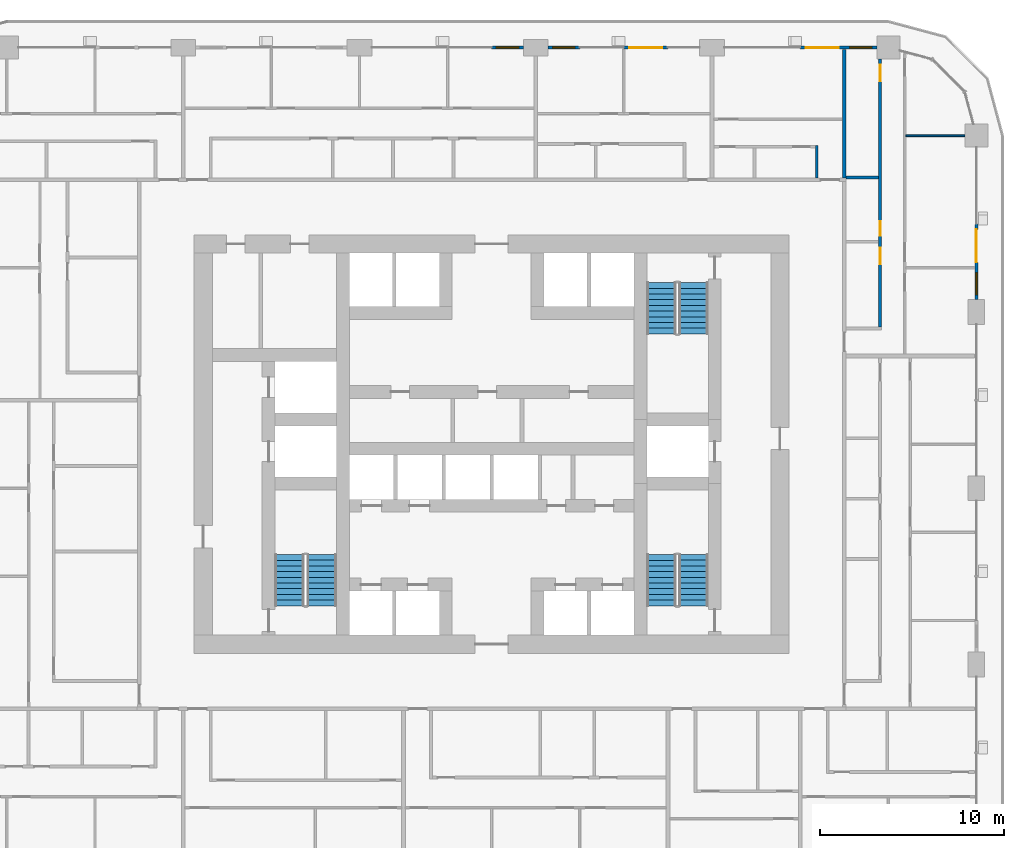
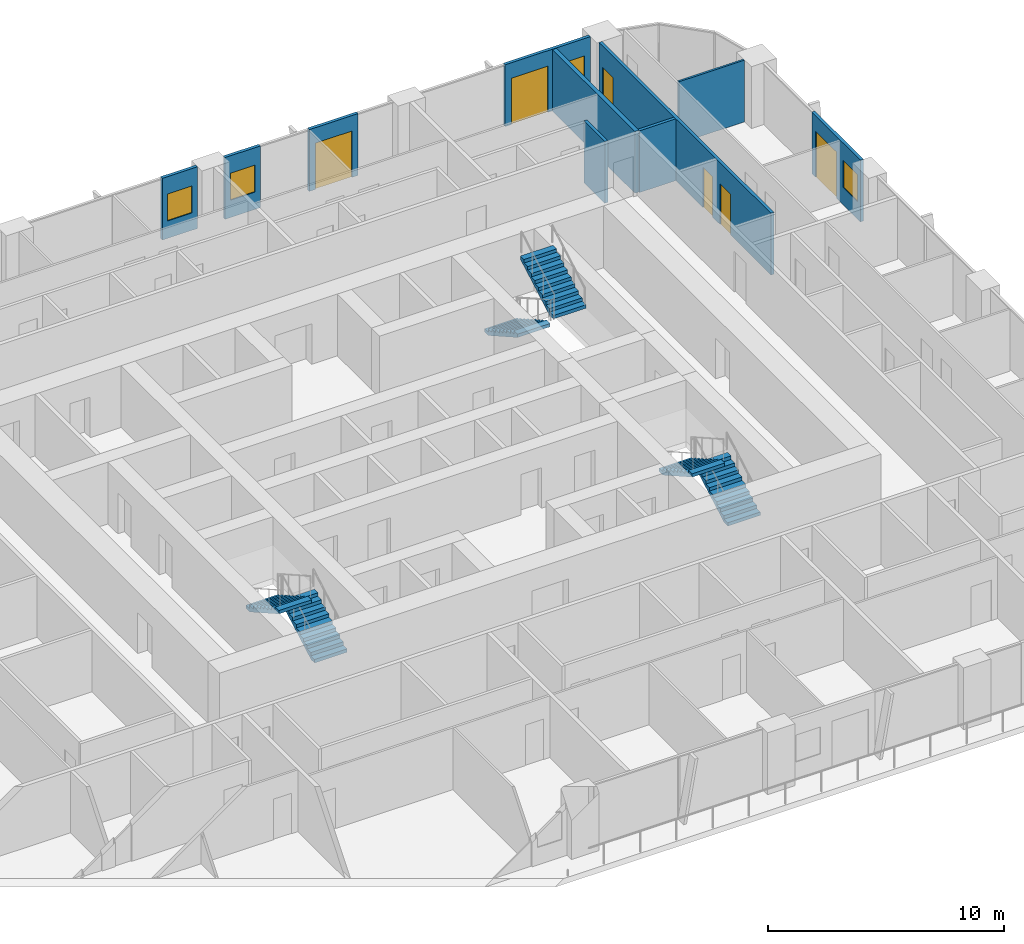
# One storey, part 15 of 21: 10 walls, 6 doors, 6 stair flights, 4 windows, 10 openings, 3 elements without a shape of their own.
"""IFC4 building model written with IfcOpenShell, lengths in metres."""

from ifc_helpers import new_model, si_unit, direction, frame, frame_2d, origin, place, context, subcontext, project, spatial, polyline, rectangle, outline, extrude, material, layer, layer_set, type_object, element, fill, aggregate, save


model = new_model("IFC4")

# Units and contexts
model_context = context("Model", 3, precision=1e-05, world=origin(), true_north=direction((0.0, 1.0)))
body_context = subcontext(model_context, "Body", "Model", "MODEL_VIEW")
ifc_project = project(units=[si_unit("LENGTHUNIT", "METRE"), si_unit("AREAUNIT", "SQUARE_METRE"), si_unit("VOLUMEUNIT", "CUBIC_METRE"), si_unit("PLANEANGLEUNIT", "RADIAN"), si_unit("MASSUNIT", "GRAM", prefix="KILO")], contexts=[model_context])

# Site, building, storey
site_placement = place(None, origin())
site = spatial("IfcSite", under=ifc_project, at=site_placement, CompositionType="ELEMENT")
building_placement = place(site_placement, origin())
building = spatial("IfcBuilding", under=site, at=building_placement, Name="Madar Terraces", CompositionType="ELEMENT")
storey_placement = place(building_placement, frame((0.0, 0.0, 32.89990234375)))
storey = spatial("IfcBuildingStorey", under=building, at=storey_placement, Name="L07", CompositionType="ELEMENT", Elevation=32.89990234375)

# Wall, openings, door, window
ifc_material_1 = material(Name="Aluminium composite panel, black, over insulated backing", Category="aluminium")
ifc_layer_1 = layer(ifc_material_1, 0.14990234375)
ifc_layer_set_1 = layer_set([ifc_layer_1], Name="Facade bay panel 150")
wall_type_1 = type_object("IfcWallType", Name="Facade bay panel 150", PredefinedType="SOLIDWALL", material=ifc_layer_set_1)
wall_1_placement = place(storey_placement, frame((57.60009765625, 34.27490234375, 0.0), z_axis=(0.0, 0.0, 1.0), x_axis=(0.0, 1.0, 0.0)))
wall_1 = element("IfcWall", 1, at=wall_1_placement, inside=storey, type_object=wall_type_1, Name="Facade bay panel", PredefinedType="SOLIDWALL", context=body_context, shape_type="SweptSolid", body=[
    extrude(rectangle(XDim=4.125, YDim=0.14990234375, at=frame_2d((2.0625, 0.0))), origin(), (0.0, 0.0, 1.0), 3.2001953125),
])
opening_1_placement = place(wall_1_placement, frame((0.262451171875, 0.0, 0.89990234375)))
opening_1 = element("IfcOpeningElement", 2, at=opening_1_placement, cuts=wall_1, Name="Opening W1", PredefinedType="OPENING", context=body_context, shape_type="SweptSolid", body=[
    extrude(rectangle(XDim=1.199951171875, YDim=1.39990234375, at=frame_2d((0.60009765625, 0.699951171875))), frame((0.0, 0.0849609375, 0.0), z_axis=(0.0, -1.0, 0.0), x_axis=(1.0, 0.0, 0.0)), (0.0, 0.0, 1.0), 0.169921875),
])
opening_2_placement = place(wall_1_placement, frame((2.02490234375, 0.0, 0.0)))
opening_2 = element("IfcOpeningElement", 3, at=opening_2_placement, cuts=wall_1, Name="Opening ED1", PredefinedType="OPENING", context=body_context, shape_type="SweptSolid", body=[
    extrude(rectangle(XDim=1.800048828125, YDim=2.39990234375, at=frame_2d((0.89990234375, 1.199951171875))), frame((0.0, 0.0849609375, 0.0), z_axis=(0.0, -1.0, 0.0), x_axis=(1.0, 0.0, 0.0)), (0.0, 0.0, 1.0), 0.169921875),
])
ifc_material_2 = material(Name="Glass, clear, with black aluminium frame", Category="aluminium")
door_type_1 = type_object("IfcDoorType", Name="Balcony and terrace sliding door 1800 x 2400", OperationType="SLIDING_TO_LEFT", PredefinedType="DOOR", material=ifc_material_2)
door_1_placement = place(opening_2_placement, origin())
door_1 = element("IfcDoor", 4, at=door_1_placement, inside=storey, type_object=door_type_1, Name="Balcony door", OperationType="SLIDING_TO_RIGHT", OverallHeight=2.39990234375, OverallWidth=1.800048828125, PredefinedType="DOOR", context=body_context, shape_type="SweptSolid", body=[
    extrude(rectangle(XDim=1.800048828125, YDim=2.39990234375, at=frame_2d((0.89990234375, 1.199951171875))), frame((0.0, 0.02490234375, 0.0), z_axis=(0.0, -1.0, 0.0), x_axis=(1.0, 0.0, 0.0)), (0.0, 0.0, 1.0), 0.050048828125),
])
fill(opening_2, door_1)
ifc_material_3 = material(Name="Glass, clear, with black aluminium frame", Category="aluminium")
window_type = type_object("IfcWindowType", Name="Vent window 1200 x 1400", PartitioningType="SINGLE_PANEL", PredefinedType="WINDOW", material=ifc_material_3)
window_1_placement = place(opening_1_placement, origin())
window_1 = element("IfcWindow", 5, at=window_1_placement, inside=storey, type_object=window_type, Name="Operable vent window", OverallHeight=1.39990234375, OverallWidth=1.199951171875, PartitioningType="SINGLE_PANEL", PredefinedType="WINDOW", context=body_context, shape_type="SweptSolid", body=[
    extrude(rectangle(XDim=1.199951171875, YDim=1.39990234375, at=frame_2d((0.60009765625, 0.699951171875))), frame((0.0, 0.030029296875, 0.0), z_axis=(0.0, -1.0, 0.0), x_axis=(1.0, 0.0, 0.0)), (0.0, 0.0, 1.0), 0.06005859375),
])
fill(opening_1, window_1)

wall_2_placement = place(storey_placement, frame((52.175048828125, 48.0, 0.0), z_axis=(0.0, 0.0, 1.0), x_axis=(-1.0, 0.0, 0.0)))
wall_2 = element("IfcWall", 6, at=wall_2_placement, inside=storey, type_object=wall_type_1, Name="Facade bay panel", PredefinedType="SOLIDWALL", context=body_context, shape_type="SweptSolid", body=[
    extrude(rectangle(XDim=4.175048828125, YDim=0.14990234375, at=frame_2d((2.08740234375, 0.0))), origin(), (0.0, 0.0, 1.0), 3.2001953125),
])
opening_3_placement = place(wall_2_placement, frame((0.28759765625, 0.0, 0.89990234375)))
opening_3 = element("IfcOpeningElement", 7, at=opening_3_placement, cuts=wall_2, Name="Opening W1", PredefinedType="OPENING", context=body_context, shape_type="SweptSolid", body=[
    extrude(rectangle(XDim=1.199951171875, YDim=1.39990234375, at=frame_2d((0.60009765625, 0.699951171875))), frame((0.0, 0.0849609375, 0.0), z_axis=(0.0, -1.0, 0.0), x_axis=(1.0, 0.0, 0.0)), (0.0, 0.0, 1.0), 0.169921875),
])
opening_4_placement = place(wall_2_placement, frame((2.074951171875, 0.0, 0.0)))
opening_4 = element("IfcOpeningElement", 8, at=opening_4_placement, cuts=wall_2, Name="Opening ED1", PredefinedType="OPENING", context=body_context, shape_type="SweptSolid", body=[
    extrude(rectangle(XDim=1.800048828125, YDim=2.39990234375, at=frame_2d((0.89990234375, 1.199951171875))), frame((0.0, 0.0849609375, 0.0), z_axis=(0.0, -1.0, 0.0), x_axis=(1.0, 0.0, 0.0)), (0.0, 0.0, 1.0), 0.169921875),
])
door_2_placement = place(opening_4_placement, origin())
door_2 = element("IfcDoor", 9, at=door_2_placement, inside=storey, type_object=door_type_1, Name="Balcony door", OperationType="SLIDING_TO_LEFT", OverallHeight=2.39990234375, OverallWidth=1.800048828125, PredefinedType="DOOR", context=body_context, shape_type="SweptSolid", body=[
    extrude(rectangle(XDim=1.800048828125, YDim=2.39990234375, at=frame_2d((0.89990234375, 1.199951171875))), frame((0.0, 0.02490234375, 0.0), z_axis=(0.0, -1.0, 0.0), x_axis=(1.0, 0.0, 0.0)), (0.0, 0.0, 1.0), 0.050048828125),
])
fill(opening_4, door_2)
window_2_placement = place(opening_3_placement, origin())
window_2 = element("IfcWindow", 10, at=window_2_placement, inside=storey, type_object=window_type, Name="Operable vent window", OverallHeight=1.39990234375, OverallWidth=1.199951171875, PartitioningType="SINGLE_PANEL", PredefinedType="WINDOW", context=body_context, shape_type="SweptSolid", body=[
    extrude(rectangle(XDim=1.199951171875, YDim=1.39990234375, at=frame_2d((0.60009765625, 0.699951171875))), frame((0.0, 0.030029296875, 0.0), z_axis=(0.0, -1.0, 0.0), x_axis=(1.0, 0.0, 0.0)), (0.0, 0.0, 1.0), 0.06005859375),
])
fill(opening_3, window_2)

# Wall, opening, door
wall_3_placement = place(storey_placement, frame((40.800048828125, 48.0, 0.0), z_axis=(0.0, 0.0, 1.0), x_axis=(-1.0, 0.0, 0.0)))
wall_3 = element("IfcWall", 11, at=wall_3_placement, inside=storey, type_object=wall_type_1, Name="Facade bay panel", PredefinedType="SOLIDWALL", context=body_context, shape_type="SweptSolid", body=[
    extrude(rectangle(XDim=2.400146484375, YDim=0.14990234375, at=frame_2d((1.2001953125, 0.0))), origin(), (0.0, 0.0, 1.0), 3.2001953125),
])
opening_5_placement = place(wall_3_placement, frame((0.300048828125, 0.0, 0.0)))
opening_5 = element("IfcOpeningElement", 12, at=opening_5_placement, cuts=wall_3, Name="Opening ED1", PredefinedType="OPENING", context=body_context, shape_type="SweptSolid", body=[
    extrude(rectangle(XDim=1.800048828125, YDim=2.39990234375, at=frame_2d((0.89990234375, 1.199951171875))), frame((0.0, 0.0849609375, 0.0), z_axis=(0.0, -1.0, 0.0), x_axis=(1.0, 0.0, 0.0)), (0.0, 0.0, 1.0), 0.169921875),
])
door_3_placement = place(opening_5_placement, origin())
door_3 = element("IfcDoor", 13, at=door_3_placement, inside=storey, type_object=door_type_1, Name="Balcony door", OperationType="SLIDING_TO_RIGHT", OverallHeight=2.39990234375, OverallWidth=1.800048828125, PredefinedType="DOOR", context=body_context, shape_type="SweptSolid", body=[
    extrude(rectangle(XDim=1.800048828125, YDim=2.39990234375, at=frame_2d((0.89990234375, 1.199951171875))), frame((0.0, 0.02490234375, 0.0), z_axis=(0.0, -1.0, 0.0), x_axis=(1.0, 0.0, 0.0)), (0.0, 0.0, 1.0), 0.050048828125),
])
fill(opening_5, door_3)

# Wall, opening, window
wall_4_placement = place(storey_placement, frame((36.0, 48.0, 0.0), z_axis=(0.0, 0.0, 1.0), x_axis=(-1.0, 0.0, 0.0)))
wall_4 = element("IfcWall", 14, at=wall_4_placement, inside=storey, type_object=wall_type_1, Name="Facade bay panel", PredefinedType="SOLIDWALL", context=body_context, shape_type="SweptSolid", body=[
    extrude(rectangle(XDim=1.72509765625, YDim=0.14990234375, at=frame_2d((0.862548828125, 0.0))), origin(), (0.0, 0.0, 1.0), 3.2001953125),
])
opening_6_placement = place(wall_4_placement, frame((0.262451171875, 0.0, 0.89990234375)))
opening_6 = element("IfcOpeningElement", 15, at=opening_6_placement, cuts=wall_4, Name="Opening W1", PredefinedType="OPENING", context=body_context, shape_type="SweptSolid", body=[
    extrude(rectangle(XDim=1.199951171875, YDim=1.39990234375, at=frame_2d((0.60009765625, 0.699951171875))), frame((0.0, 0.0849609375, 0.0), z_axis=(0.0, -1.0, 0.0), x_axis=(1.0, 0.0, 0.0)), (0.0, 0.0, 1.0), 0.169921875),
])
window_3_placement = place(opening_6_placement, origin())
window_3 = element("IfcWindow", 16, at=window_3_placement, inside=storey, type_object=window_type, Name="Operable vent window", OverallHeight=1.39990234375, OverallWidth=1.199951171875, PartitioningType="SINGLE_PANEL", PredefinedType="WINDOW", context=body_context, shape_type="SweptSolid", body=[
    extrude(rectangle(XDim=1.199951171875, YDim=1.39990234375, at=frame_2d((0.60009765625, 0.699951171875))), frame((0.0, 0.030029296875, 0.0), z_axis=(0.0, -1.0, 0.0), x_axis=(1.0, 0.0, 0.0)), (0.0, 0.0, 1.0), 0.06005859375),
])
fill(opening_6, window_3)

wall_5_placement = place(storey_placement, frame((32.925048828125, 48.0, 0.0), z_axis=(0.0, 0.0, 1.0), x_axis=(-1.0, 0.0, 0.0)))
wall_5 = element("IfcWall", 17, at=wall_5_placement, inside=storey, type_object=wall_type_1, Name="Facade bay panel", PredefinedType="SOLIDWALL", context=body_context, shape_type="SweptSolid", body=[
    extrude(rectangle(XDim=1.72509765625, YDim=0.14990234375, at=frame_2d((0.862548828125, 0.0))), origin(), (0.0, 0.0, 1.0), 3.2001953125),
])
opening_7_placement = place(wall_5_placement, frame((0.262451171875, 0.0, 0.89990234375)))
opening_7 = element("IfcOpeningElement", 18, at=opening_7_placement, cuts=wall_5, Name="Opening W1", PredefinedType="OPENING", context=body_context, shape_type="SweptSolid", body=[
    extrude(rectangle(XDim=1.199951171875, YDim=1.39990234375, at=frame_2d((0.60009765625, 0.699951171875))), frame((0.0, 0.0849609375, 0.0), z_axis=(0.0, -1.0, 0.0), x_axis=(1.0, 0.0, 0.0)), (0.0, 0.0, 1.0), 0.169921875),
])
window_4_placement = place(opening_7_placement, origin())
window_4 = element("IfcWindow", 19, at=window_4_placement, inside=storey, type_object=window_type, Name="Operable vent window", OverallHeight=1.39990234375, OverallWidth=1.199951171875, PartitioningType="SINGLE_PANEL", PredefinedType="WINDOW", context=body_context, shape_type="SweptSolid", body=[
    extrude(rectangle(XDim=1.199951171875, YDim=1.39990234375, at=frame_2d((0.60009765625, 0.699951171875))), frame((0.0, 0.030029296875, 0.0), z_axis=(0.0, -1.0, 0.0), x_axis=(1.0, 0.0, 0.0)), (0.0, 0.0, 1.0), 0.06005859375),
])
fill(opening_7, window_4)

# Walls
ifc_material_4 = material(Name="Gypsum board on steel studs", Category="steel")
ifc_layer_2 = layer(ifc_material_4, 0.10009765625)
ifc_layer_set_2 = layer_set([ifc_layer_2], Name="Flat partition 100")
wall_type_2 = type_object("IfcWallType", Name="Flat partition 100", PredefinedType="PARTITIONING", material=ifc_layer_set_2)
wall_6_placement = place(storey_placement, frame((53.75, 43.199951171875, 0.0), z_axis=(0.0, 0.0, 1.0), x_axis=(1.0, 0.0, 0.0)))
element("IfcWall", 20, at=wall_6_placement, inside=storey, type_object=wall_type_2, Name="Flat partition 100", PredefinedType="PARTITIONING", context=body_context, shape_type="SweptSolid", body=[
    extrude(rectangle(XDim=3.22509765625, YDim=0.10009765625, at=frame_2d((1.612548828125, 0.0))), origin(), (0.0, 0.0, 1.0), 3.2001953125),
])
ifc_material_5 = material(Name="Lightweight blockwork", Category="masonry")
ifc_layer_3 = layer(ifc_material_5, 0.199951171875)
ifc_layer_set_3 = layer_set([ifc_layer_3], Name="Flat party and entrance wall 200")
wall_type_3 = type_object("IfcWallType", Name="Flat party and entrance wall 200", PredefinedType="PARTITIONING", material=ifc_layer_set_3)
wall_7_placement = place(storey_placement, frame((50.39990234375, 40.89990234375, 0.0), z_axis=(0.0, 0.0, 1.0), x_axis=(0.0, 1.0, 0.0)))
element("IfcWall", 21, at=wall_7_placement, inside=storey, type_object=wall_type_3, Name="Flat party and entrance wall 200", PredefinedType="PARTITIONING", context=body_context, shape_type="SweptSolid", body=[
    extrude(rectangle(XDim=7.0, YDim=0.199951171875, at=frame_2d((3.5, 0.0))), origin(), (0.0, 0.0, 1.0), 3.2001953125),
])
ifc_material_6 = material(Name="Lightweight blockwork", Category="masonry")
ifc_layer_4 = layer(ifc_material_6, 0.14990234375)
ifc_layer_set_4 = layer_set([ifc_layer_4], Name="Flat wet-room partition 150")
wall_type_4 = type_object("IfcWallType", Name="Flat wet-room partition 150", PredefinedType="PARTITIONING", material=ifc_layer_set_4)
wall_8_placement = place(storey_placement, frame((50.5, 40.919189453125, 0.0), z_axis=(0.0, 0.0, 1.0), x_axis=(1.0, 0.0, 0.0)))
element("IfcWall", 22, at=wall_8_placement, inside=storey, type_object=wall_type_4, Name="Flat wet-room partition 150", PredefinedType="PARTITIONING", context=body_context, shape_type="SweptSolid", body=[
    extrude(rectangle(XDim=1.77490234375, YDim=0.14990234375, at=frame_2d((0.887451171875, 0.0))), origin(), (0.0, 0.0, 1.0), 3.2001953125),
])

# Wall, openings, doors
wall_9_placement = place(storey_placement, frame((52.35009765625, 32.77490234375, 0.0), z_axis=(0.0, 0.0, 1.0), x_axis=(0.0, 1.0, 0.0)))
wall_9 = element("IfcWall", 23, at=wall_9_placement, inside=storey, type_object=wall_type_4, Name="Flat wet-room partition 150", PredefinedType="PARTITIONING", context=body_context, shape_type="SweptSolid", body=[
    extrude(rectangle(XDim=14.60009765625, YDim=0.14990234375, at=frame_2d((7.300048828125, 0.0))), origin(), (0.0, 0.0, 1.0), 3.2001953125),
])
opening_8_placement = place(wall_9_placement, frame((3.4287109375, 0.0, 0.0)))
opening_8 = element("IfcOpeningElement", 24, at=opening_8_placement, cuts=wall_9, Name="Opening D5", PredefinedType="OPENING", context=body_context, shape_type="SweptSolid", body=[
    extrude(rectangle(XDim=0.89990234375, YDim=2.10009765625, at=frame_2d((0.449951171875, 1.050048828125))), frame((0.0, 0.0849609375, 0.0), z_axis=(0.0, -1.0, 0.0), x_axis=(1.0, 0.0, 0.0)), (0.0, 0.0, 1.0), 0.169921875),
])
opening_9_placement = place(wall_9_placement, frame((4.978759765625, 0.0, 0.0)))
opening_9 = element("IfcOpeningElement", 25, at=opening_9_placement, cuts=wall_9, Name="Opening D4", PredefinedType="OPENING", context=body_context, shape_type="SweptSolid", body=[
    extrude(rectangle(XDim=0.800048828125, YDim=2.10009765625, at=frame_2d((0.39990234375, 1.050048828125))), frame((0.0, 0.0849609375, 0.0), z_axis=(0.0, -1.0, 0.0), x_axis=(1.0, 0.0, 0.0)), (0.0, 0.0, 1.0), 0.169921875),
])
opening_10_placement = place(wall_9_placement, frame((13.39990234375, 0.0, 0.0)))
opening_10 = element("IfcOpeningElement", 26, at=opening_10_placement, cuts=wall_9, Name="Opening D2", PredefinedType="OPENING", context=body_context, shape_type="SweptSolid", body=[
    extrude(rectangle(XDim=0.89990234375, YDim=2.10009765625, at=frame_2d((0.449951171875, 1.050048828125))), frame((0.0, 0.0849609375, 0.0), z_axis=(0.0, -1.0, 0.0), x_axis=(1.0, 0.0, 0.0)), (0.0, 0.0, 1.0), 0.169921875),
])
ifc_material_7 = material(Name="Timber door leaf", Category="wood")
door_type_2 = type_object("IfcDoorType", Name="Flat accessible bathroom door 900", OperationType="NOTDEFINED", PredefinedType="DOOR", material=ifc_material_7)
door_4_placement = place(opening_8_placement, origin())
door_4 = element("IfcDoor", 27, at=door_4_placement, inside=storey, type_object=door_type_2, Name="Flat accessible bathroom door 900", OperationType="SINGLE_SWING_RIGHT", OverallHeight=2.10009765625, OverallWidth=0.89990234375, PredefinedType="DOOR", context=body_context, shape_type="SweptSolid", body=[
    extrude(rectangle(XDim=0.89990234375, YDim=2.10009765625, at=frame_2d((0.449951171875, 1.050048828125))), frame((0.0, 0.02490234375, 0.0), z_axis=(0.0, -1.0, 0.0), x_axis=(1.0, 0.0, 0.0)), (0.0, 0.0, 1.0), 0.050048828125),
])
fill(opening_8, door_4)
ifc_material_8 = material(Name="Timber door leaf", Category="wood")
door_type_3 = type_object("IfcDoorType", Name="Flat bathroom door 800", OperationType="NOTDEFINED", PredefinedType="DOOR", material=ifc_material_8)
door_5_placement = place(opening_9_placement, origin())
door_5 = element("IfcDoor", 28, at=door_5_placement, inside=storey, type_object=door_type_3, Name="Flat bathroom door 800", OperationType="SINGLE_SWING_LEFT", OverallHeight=2.10009765625, OverallWidth=0.800048828125, PredefinedType="DOOR", context=body_context, shape_type="SweptSolid", body=[
    extrude(rectangle(XDim=0.800048828125, YDim=2.10009765625, at=frame_2d((0.39990234375, 1.050048828125))), frame((0.0, 0.02490234375, 0.0), z_axis=(0.0, -1.0, 0.0), x_axis=(1.0, 0.0, 0.0)), (0.0, 0.0, 1.0), 0.050048828125),
])
fill(opening_9, door_5)
ifc_material_9 = material(Name="Timber door leaf", Category="wood")
door_type_4 = type_object("IfcDoorType", Name="Flat room door 900", OperationType="NOTDEFINED", PredefinedType="DOOR", material=ifc_material_9)
door_6_placement = place(opening_10_placement, origin())
door_6 = element("IfcDoor", 29, at=door_6_placement, inside=storey, type_object=door_type_4, Name="Flat room door 900", OperationType="SINGLE_SWING_RIGHT", OverallHeight=2.10009765625, OverallWidth=0.89990234375, PredefinedType="DOOR", context=body_context, shape_type="SweptSolid", body=[
    extrude(rectangle(XDim=0.89990234375, YDim=2.10009765625, at=frame_2d((0.449951171875, 1.050048828125))), frame((0.0, 0.02490234375, 0.0), z_axis=(0.0, -1.0, 0.0), x_axis=(1.0, 0.0, 0.0)), (0.0, 0.0, 1.0), 0.050048828125),
])
fill(opening_10, door_6)

# Wall
wall_10_placement = place(storey_placement, frame((48.89990234375, 40.89990234375, 0.0), z_axis=(0.0, 0.0, 1.0), x_axis=(0.0, 1.0, 0.0)))
element("IfcWall", 30, at=wall_10_placement, inside=storey, type_object=wall_type_4, Name="Flat wet-room partition 150", PredefinedType="PARTITIONING", context=body_context, shape_type="SweptSolid", body=[
    extrude(rectangle(XDim=1.775146484375, YDim=0.14990234375, at=frame_2d((0.8876953125, 0.0))), origin(), (0.0, 0.0, 1.0), 3.2001953125),
])

# Stair, stair flights
ifc_material_10 = material(Name="Concrete C50/60", Category="concrete")
stair_type_1 = type_object("IfcStairType", Name="Stair ST1 protected exit", PredefinedType="HALF_TURN_STAIR", material=ifc_material_10)
stair_1_placement = place(storey_placement, origin())
stair_1 = element("IfcStair", 31, at=stair_1_placement, inside=storey, type_object=stair_type_1, Name="L07 Protected Exit Stair ST1", PredefinedType="HALF_TURN_STAIR")
ifc_material_11 = material(Name="Concrete C50/60", Category="concrete")
stair_flight_type_1 = type_object("IfcStairFlightType", Name="Stair flight ST1-F4, 1600 wide, 10 risers", PredefinedType="STRAIGHT", material=ifc_material_11)
stair_flight_1_placement = place(storey_placement, frame((21.949951171875, 17.60009765625, 0.0), z_axis=(0.0, 0.0, 1.0), x_axis=(0.0, 1.0, 0.0)))
stair_flight_1 = element("IfcStairFlight", 32, at=stair_flight_1_placement, type_object=stair_flight_type_1, Name="ST1 flight 1", NumberOfRisers=10, NumberOfTreads=9, PredefinedType="STRAIGHT", RiserHeight=0.175, TreadLength=0.31, context=body_context, shape_type="SweptSolid", body=[
    extrude(outline(polyline([(0.0, 0.0), (0.0, 0.175048828125), (0.31005859375, 0.175048828125), (0.31005859375, 0.35009765625), (0.6201171875, 0.35009765625), (0.6201171875, 0.52490234375), (0.929931640625, 0.52490234375), (0.929931640625, 0.699951171875), (1.239990234375, 0.699951171875), (1.239990234375, 0.875), (1.550048828125, 0.875), (1.550048828125, 1.050048828125), (1.860107421875, 1.050048828125), (1.860107421875, 1.22509765625), (2.169921875, 1.22509765625), (2.169921875, 1.39990234375), (2.47998046875, 1.39990234375), (2.47998046875, 1.574951171875), (2.7900390625, 1.574951171875), (2.7900390625, 1.75), (2.7900390625, 1.40283203125), (0.304931640625, 0.0), (0.0, 0.0)])), frame((0.0, 0.800048828125, 0.0), z_axis=(0.0, -1.0, 0.0), x_axis=(1.0, 0.0, 0.0)), (0.0, 0.0, 1.0), 1.60009765625),
])
stair_flight_2_placement = place(storey_placement, frame((20.199951171875, 20.389892578125, 1.75), z_axis=(0.0, 0.0, 1.0), x_axis=(0.0, -1.0, 0.0)))
stair_flight_2 = element("IfcStairFlight", 33, at=stair_flight_2_placement, type_object=stair_flight_type_1, Name="ST1 flight 2", NumberOfRisers=10, NumberOfTreads=9, PredefinedType="STRAIGHT", RiserHeight=0.175, TreadLength=0.31, context=body_context, shape_type="SweptSolid", body=[
    extrude(outline(polyline([(0.0, 0.0), (0.0, 0.175048828125), (0.31005859375, 0.175048828125), (0.31005859375, 0.35009765625), (0.6201171875, 0.35009765625), (0.6201171875, 0.52490234375), (0.929931640625, 0.52490234375), (0.929931640625, 0.699951171875), (1.239990234375, 0.699951171875), (1.239990234375, 0.875), (1.550048828125, 0.875), (1.550048828125, 1.050048828125), (1.860107421875, 1.050048828125), (1.860107421875, 1.22509765625), (2.169921875, 1.22509765625), (2.169921875, 1.39990234375), (2.47998046875, 1.39990234375), (2.47998046875, 1.574951171875), (2.7900390625, 1.574951171875), (2.7900390625, 1.75), (2.7900390625, 1.40283203125), (0.304931640625, 0.0), (0.0, 0.0)])), frame((0.0, 0.800048828125, 0.0), z_axis=(0.0, -1.0, 0.0), x_axis=(1.0, 0.0, 0.0)), (0.0, 0.0, 1.0), 1.60009765625),
])
aggregate(stair_1, [stair_flight_1, stair_flight_2])

ifc_material_12 = material(Name="Concrete C50/60", Category="concrete")
stair_type_2 = type_object("IfcStairType", Name="Stair ST2 protected exit", PredefinedType="HALF_TURN_STAIR", material=ifc_material_12)
stair_2_placement = place(storey_placement, origin())
stair_2 = element("IfcStair", 34, at=stair_2_placement, inside=storey, type_object=stair_type_2, Name="L07 Protected Exit Stair ST2", PredefinedType="HALF_TURN_STAIR")
ifc_material_13 = material(Name="Concrete C50/60", Category="concrete")
stair_flight_type_2 = type_object("IfcStairFlightType", Name="Stair flight ST2-F4, 1600 wide, 10 risers", PredefinedType="STRAIGHT", material=ifc_material_13)
stair_flight_3_placement = place(storey_placement, frame((40.449951171875, 35.199951171875, 0.0), z_axis=(0.0, 0.0, 1.0), x_axis=(0.0, -1.0, 0.0)))
stair_flight_3 = element("IfcStairFlight", 35, at=stair_flight_3_placement, type_object=stair_flight_type_2, Name="ST2 flight 1", NumberOfRisers=10, NumberOfTreads=9, PredefinedType="STRAIGHT", RiserHeight=0.175, TreadLength=0.31, context=body_context, shape_type="SweptSolid", body=[
    extrude(outline(polyline([(0.0, 0.0), (0.0, 0.175048828125), (0.31005859375, 0.175048828125), (0.31005859375, 0.35009765625), (0.6201171875, 0.35009765625), (0.6201171875, 0.52490234375), (0.929931640625, 0.52490234375), (0.929931640625, 0.699951171875), (1.239990234375, 0.699951171875), (1.239990234375, 0.875), (1.550048828125, 0.875), (1.550048828125, 1.050048828125), (1.860107421875, 1.050048828125), (1.860107421875, 1.22509765625), (2.169921875, 1.22509765625), (2.169921875, 1.39990234375), (2.47998046875, 1.39990234375), (2.47998046875, 1.574951171875), (2.7900390625, 1.574951171875), (2.7900390625, 1.75), (2.7900390625, 1.40283203125), (0.304931640625, 0.0), (0.0, 0.0)])), frame((0.0, 0.800048828125, 0.0), z_axis=(0.0, -1.0, 0.0), x_axis=(1.0, 0.0, 0.0)), (0.0, 0.0, 1.0), 1.60009765625),
])
stair_flight_4_placement = place(storey_placement, frame((42.199951171875, 32.409912109375, 1.75), z_axis=(0.0, 0.0, 1.0), x_axis=(0.0, 1.0, 0.0)))
stair_flight_4 = element("IfcStairFlight", 36, at=stair_flight_4_placement, type_object=stair_flight_type_2, Name="ST2 flight 2", NumberOfRisers=10, NumberOfTreads=9, PredefinedType="STRAIGHT", RiserHeight=0.175, TreadLength=0.31, context=body_context, shape_type="SweptSolid", body=[
    extrude(outline(polyline([(0.0, 0.0), (0.0, 0.175048828125), (0.31005859375, 0.175048828125), (0.31005859375, 0.35009765625), (0.6201171875, 0.35009765625), (0.6201171875, 0.52490234375), (0.929931640625, 0.52490234375), (0.929931640625, 0.699951171875), (1.239990234375, 0.699951171875), (1.239990234375, 0.875), (1.550048828125, 0.875), (1.550048828125, 1.050048828125), (1.860107421875, 1.050048828125), (1.860107421875, 1.22509765625), (2.169921875, 1.22509765625), (2.169921875, 1.39990234375), (2.47998046875, 1.39990234375), (2.47998046875, 1.574951171875), (2.7900390625, 1.574951171875), (2.7900390625, 1.75), (2.7900390625, 1.40283203125), (0.304931640625, 0.0), (0.0, 0.0)])), frame((0.0, 0.800048828125, 0.0), z_axis=(0.0, -1.0, 0.0), x_axis=(1.0, 0.0, 0.0)), (0.0, 0.0, 1.0), 1.60009765625),
])
aggregate(stair_2, [stair_flight_3, stair_flight_4])

ifc_material_14 = material(Name="Concrete C50/60", Category="concrete")
stair_type_3 = type_object("IfcStairType", Name="Stair ST3 protected exit", PredefinedType="HALF_TURN_STAIR", material=ifc_material_14)
stair_3_placement = place(storey_placement, origin())
stair_3 = element("IfcStair", 37, at=stair_3_placement, inside=storey, type_object=stair_type_3, Name="L07 Protected Exit Stair ST3", PredefinedType="HALF_TURN_STAIR")
ifc_material_15 = material(Name="Concrete C50/60", Category="concrete")
stair_flight_type_3 = type_object("IfcStairFlightType", Name="Stair flight ST3-F4, 1600 wide, 10 risers", PredefinedType="STRAIGHT", material=ifc_material_15)
stair_flight_5_placement = place(storey_placement, frame((42.199951171875, 17.60009765625, 0.0), z_axis=(0.0, 0.0, 1.0), x_axis=(0.0, 1.0, 0.0)))
stair_flight_5 = element("IfcStairFlight", 38, at=stair_flight_5_placement, type_object=stair_flight_type_3, Name="ST3 flight 1", NumberOfRisers=10, NumberOfTreads=9, PredefinedType="STRAIGHT", RiserHeight=0.175, TreadLength=0.31, context=body_context, shape_type="SweptSolid", body=[
    extrude(outline(polyline([(0.0, 0.0), (0.0, 0.175048828125), (0.31005859375, 0.175048828125), (0.31005859375, 0.35009765625), (0.6201171875, 0.35009765625), (0.6201171875, 0.52490234375), (0.929931640625, 0.52490234375), (0.929931640625, 0.699951171875), (1.239990234375, 0.699951171875), (1.239990234375, 0.875), (1.550048828125, 0.875), (1.550048828125, 1.050048828125), (1.860107421875, 1.050048828125), (1.860107421875, 1.22509765625), (2.169921875, 1.22509765625), (2.169921875, 1.39990234375), (2.47998046875, 1.39990234375), (2.47998046875, 1.574951171875), (2.7900390625, 1.574951171875), (2.7900390625, 1.75), (2.7900390625, 1.40283203125), (0.304931640625, 0.0), (0.0, 0.0)])), frame((0.0, 0.800048828125, 0.0), z_axis=(0.0, -1.0, 0.0), x_axis=(1.0, 0.0, 0.0)), (0.0, 0.0, 1.0), 1.60009765625),
])
stair_flight_6_placement = place(storey_placement, frame((40.449951171875, 20.389892578125, 1.75), z_axis=(0.0, 0.0, 1.0), x_axis=(0.0, -1.0, 0.0)))
stair_flight_6 = element("IfcStairFlight", 39, at=stair_flight_6_placement, type_object=stair_flight_type_3, Name="ST3 flight 2", NumberOfRisers=10, NumberOfTreads=9, PredefinedType="STRAIGHT", RiserHeight=0.175, TreadLength=0.31, context=body_context, shape_type="SweptSolid", body=[
    extrude(outline(polyline([(0.0, 0.0), (0.0, 0.175048828125), (0.31005859375, 0.175048828125), (0.31005859375, 0.35009765625), (0.6201171875, 0.35009765625), (0.6201171875, 0.52490234375), (0.929931640625, 0.52490234375), (0.929931640625, 0.699951171875), (1.239990234375, 0.699951171875), (1.239990234375, 0.875), (1.550048828125, 0.875), (1.550048828125, 1.050048828125), (1.860107421875, 1.050048828125), (1.860107421875, 1.22509765625), (2.169921875, 1.22509765625), (2.169921875, 1.39990234375), (2.47998046875, 1.39990234375), (2.47998046875, 1.574951171875), (2.7900390625, 1.574951171875), (2.7900390625, 1.75), (2.7900390625, 1.40283203125), (0.304931640625, 0.0), (0.0, 0.0)])), frame((0.0, 0.800048828125, 0.0), z_axis=(0.0, -1.0, 0.0), x_axis=(1.0, 0.0, 0.0)), (0.0, 0.0, 1.0), 1.60009765625),
])
aggregate(stair_3, [stair_flight_5, stair_flight_6])

save(model, "model.ifc")
